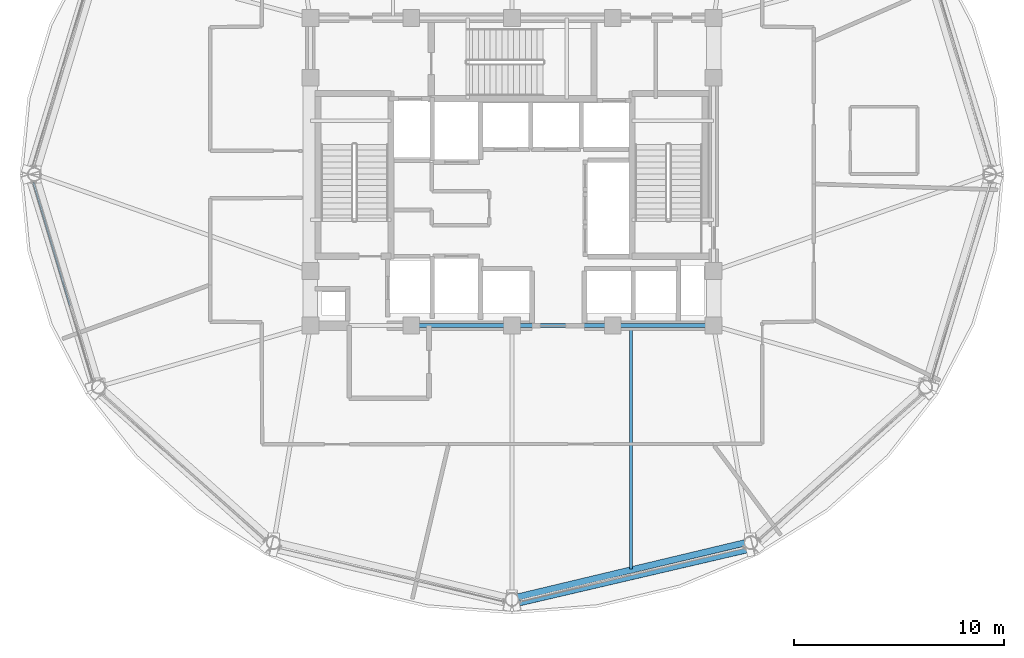
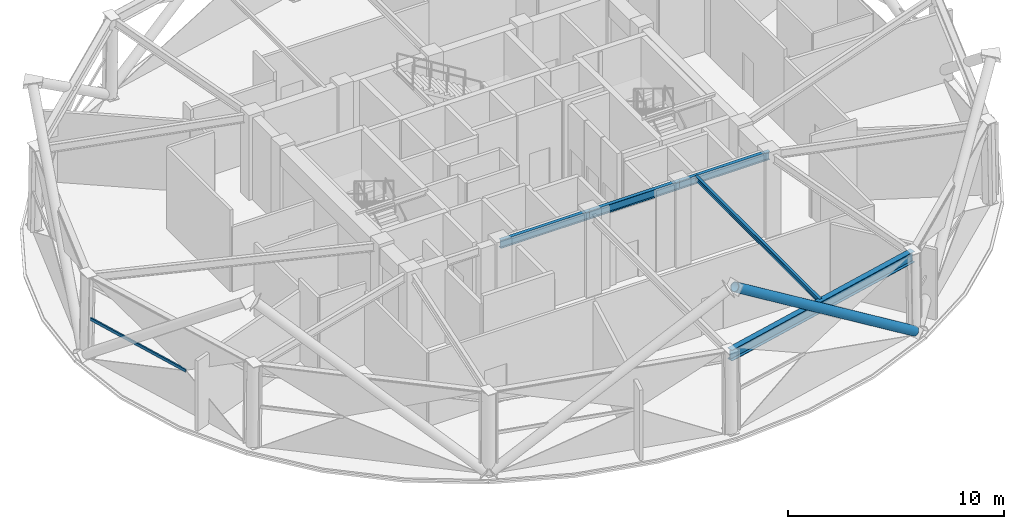
# One storey, part 3 of 16: 5 beams, 2 members, 1 element without a shape of its own.
"""IFC4 building model written with IfcOpenShell, lengths in metres."""

from ifc_helpers import new_model, si_unit, direction, frame, origin, origin_2d, place, context, subcontext, project, spatial, hollow_rectangle, hollow_circle, i_section, extrude, material, layer, layer_set, material_profile, profile_set, type_object, element, aggregate, save


model = new_model("IFC4")

# Units and contexts
model_context = context("Model", 3, precision=1e-05, world=origin(), true_north=direction((0.0, 1.0)))
body_context = subcontext(model_context, "Body", "Model", "MODEL_VIEW")
ifc_project = project(units=[si_unit("LENGTHUNIT", "METRE"), si_unit("AREAUNIT", "SQUARE_METRE"), si_unit("VOLUMEUNIT", "CUBIC_METRE"), si_unit("PLANEANGLEUNIT", "RADIAN"), si_unit("MASSUNIT", "GRAM", prefix="KILO")], contexts=[model_context])

# Site, building, storey
site_placement = place(None, origin())
site = spatial("IfcSite", under=ifc_project, at=site_placement, CompositionType="ELEMENT")
building_placement = place(site_placement, origin())
building = spatial("IfcBuilding", under=site, at=building_placement, Name="Vantalir Tower", CompositionType="ELEMENT")
storey_placement = place(building_placement, frame((0.0, 0.0, 181.35009765625)))
storey = spatial("IfcBuildingStorey", under=building, at=storey_placement, Name="L45", CompositionType="ELEMENT", Elevation=181.35009765625)

# Beams
ifc_material_1 = material(Name="Steel S355", Category="steel")
ifc_material_profile_1 = material_profile(ifc_material_1, i_section(OverallWidth=0.14599609375, OverallDepth=0.256103515625, WebThickness=0.00634765625, FlangeThickness=0.010986328125, at=origin_2d()), Name="Steel S355")
ifc_profile_set_1 = profile_set([ifc_material_profile_1], Name="Steel S355")
beam_type_1 = type_object("IfcBeamType", Name="BM-JS-254x146", PredefinedType="JOIST", material=ifc_profile_set_1)
beam_1_placement = place(storey_placement, frame((37.1689453125, 6.208984375, 4.491943359375), z_axis=(0.0, 1.0, 0.0), x_axis=(-1.0, 0.0, 0.0)))
element("IfcBeam", 1, at=beam_1_placement, inside=storey, type_object=beam_type_1, Name="L45 Composite Trim Joist 02", PredefinedType="JOIST", context=body_context, shape_type="SweptSolid", body=[
    extrude(i_section(OverallWidth=0.14599609375, OverallDepth=0.256103515625, WebThickness=0.00634765625, FlangeThickness=0.010986328125, at=origin_2d()), origin(), (0.0, 0.0, 1.0), 11.5458984375),
])
ifc_material_profile_2 = material_profile(ifc_material_1, i_section(OverallWidth=0.19189453125, OverallDepth=0.462890625, WebThickness=0.010498046875, FlangeThickness=0.017578125, at=origin_2d()), Name="Steel S355")
ifc_profile_set_2 = profile_set([ifc_material_profile_2], Name="Steel S355")
beam_type_2 = type_object("IfcBeamType", Name="BM-RB-457x191", PredefinedType="BEAM", material=ifc_profile_set_2)
for number, where, z_axis, x_axis, name in (
    (2, (26.699951171875, 17.800048828125, 4.387939453125), (1.0, 0.0, 0.0), (0.0, 1.0, 0.0), "L45 Core Coupling Girder 02"),
    (3, (31.5, 17.800048828125, 4.387939453125), (1.0, 0.0, 0.0), (0.0, 1.0, 0.0), "L45 Core Coupling Girder 03"),
    (4, (36.300048828125, 17.800048828125, 4.387939453125), (1.0, 0.0, 0.0), (0.0, 1.0, 0.0), "L45 Core Coupling Girder 04"),
):
    element("IfcBeam", number, at=place(storey_placement, frame(where, z_axis=z_axis, x_axis=x_axis)), inside=storey, type_object=beam_type_2, Name=name, PredefinedType="BEAM", context=body_context, shape_type="SweptSolid", body=[
        extrude(i_section(OverallWidth=0.19189453125, OverallDepth=0.462890625, WebThickness=0.010498046875, FlangeThickness=0.017578125, at=origin_2d()), origin(), (0.0, 0.0, 1.0), 4.800048828125),
    ])
ifc_material_2 = material(Name="Steel S460", Category="steel")
ifc_material_profile_3 = material_profile(ifc_material_2, i_section(OverallWidth=0.306884765625, OverallDepth=0.6201171875, WebThickness=0.01416015625, FlangeThickness=0.023681640625, at=origin_2d()), Name="Steel S460")
ifc_profile_set_3 = profile_set([ifc_material_profile_3], Name="Steel S460")
beam_type_3 = type_object("IfcBeamType", Name="BM-RG-610x305", PredefinedType="USERDEFINED", material=ifc_profile_set_3)
beam_2_placement = place(storey_placement, frame((31.5, 4.81201171875, 4.309814453125), z_axis=(0.972698236559, 0.232073567206, 0.0), x_axis=(-0.232073567206, 0.972698236559, 0.0)))
element("IfcBeam", 5, at=beam_2_placement, inside=storey, type_object=beam_type_3, Name="L45 Circumferential Ring Girder 10", ObjectType="GIRDER", PredefinedType="USERDEFINED", context=body_context, shape_type="SweptSolid", body=[
    extrude(i_section(OverallWidth=0.306884765625, OverallDepth=0.6201171875, WebThickness=0.01416015625, FlangeThickness=0.023681640625, at=origin_2d()), origin(), (0.0, 0.0, 1.0), 11.656005859375),
])

# Curtain wall, member
ifc_material_3 = material(Name="Champagne-silver PVDF aluminium and double-silver Low-E glass", Category="aluminium")
ifc_layer = layer(ifc_material_3, 0.22998046875)
ifc_layer_set = layer_set([ifc_layer], Name="Champagne-silver PVDF aluminium and double-silver Low-E glass")
curtain_wall_type = type_object("IfcCurtainWallType", Name="CW-SKYLOBBY", PredefinedType="USERDEFINED", material=ifc_layer_set)
curtain_wall_placement = place(storey_placement, origin())
curtain_wall = element("IfcCurtainWall", 6, at=curtain_wall_placement, inside=storey, type_object=curtain_wall_type, Name="L45 Quilted Pyramid-Diamond Curtain Wall S07", ObjectType="UNITISED CURTAIN WALL", PredefinedType="USERDEFINED")
ifc_material_4 = material(Name="Champagne-silver PVDF aluminium 6063-T6", Category="aluminium")
ifc_material_profile_4 = material_profile(ifc_material_4, hollow_rectangle(XDim=0.074951171875, YDim=0.159912109375, WallThickness=0.00390625, at=origin_2d()), Name="Champagne-silver PVDF aluminium 6063-T6")
ifc_profile_set_4 = profile_set([ifc_material_profile_4], Name="Champagne-silver PVDF aluminium 6063-T6")
member_type_1 = type_object("IfcMemberType", Name="CWT-160x75", PredefinedType="USERDEFINED", material=ifc_profile_set_4)
member_1_placement = place(storey_placement, frame((8.715087890625, 24.60693359375, 2.309814453125), z_axis=(0.284161935028, -0.958776300646, 0.0), x_axis=(0.958776300646, 0.284161935028, 0.0)))
member_1 = element("IfcMember", 7, at=member_1_placement, type_object=member_type_1, Name="CW-L45-S07 Pyramid Fold Ridge Transom", ObjectType="TRANSOM", PredefinedType="USERDEFINED", context=body_context, shape_type="SweptSolid", body=[
    extrude(hollow_rectangle(XDim=0.074951171875, YDim=0.159912109375, WallThickness=0.00390625, at=origin_2d()), origin(), (0.0, 0.0, 1.0), 6.098388671875),
])
aggregate(curtain_wall, [member_1])

# Member
ifc_material_profile_5 = material_profile(ifc_material_2, hollow_circle(Radius=0.25, WallThickness=0.031982421875, at=origin_2d()), Name="Steel S460")
ifc_profile_set_5 = profile_set([ifc_material_profile_5], Name="Steel S460")
member_type_2 = type_object("IfcMemberType", Name="MEM-DB-500x32", PredefinedType="BRACE", material=ifc_profile_set_5)
member_2_placement = place(storey_placement, frame((42.7939453125, 7.25390625, 0.205810546875), z_axis=(-0.798940363931, -0.186177894597, 0.571867193014), x_axis=(0.226950391239, -0.973906319887, 0.0)))
element("IfcMember", 8, at=member_2_placement, inside=storey, type_object=member_type_2, Name="L45 Perimeter S460 Diagrid Brace R31R", PredefinedType="BRACE", context=body_context, shape_type="SweptSolid", body=[
    extrude(hollow_circle(Radius=0.25, WallThickness=0.031982421875, at=origin_2d()), origin(), (0.0, 0.0, 1.0), 13.915771484375),
])

save(model, "model.ifc")
